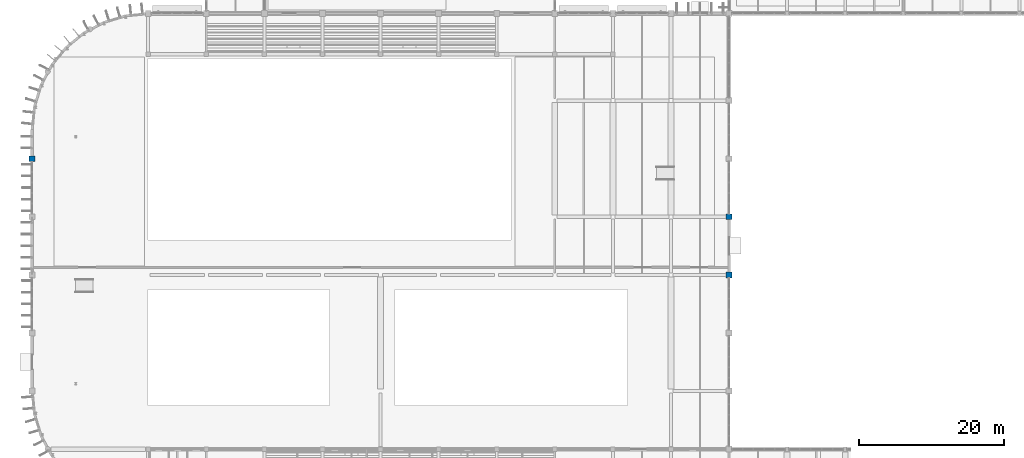
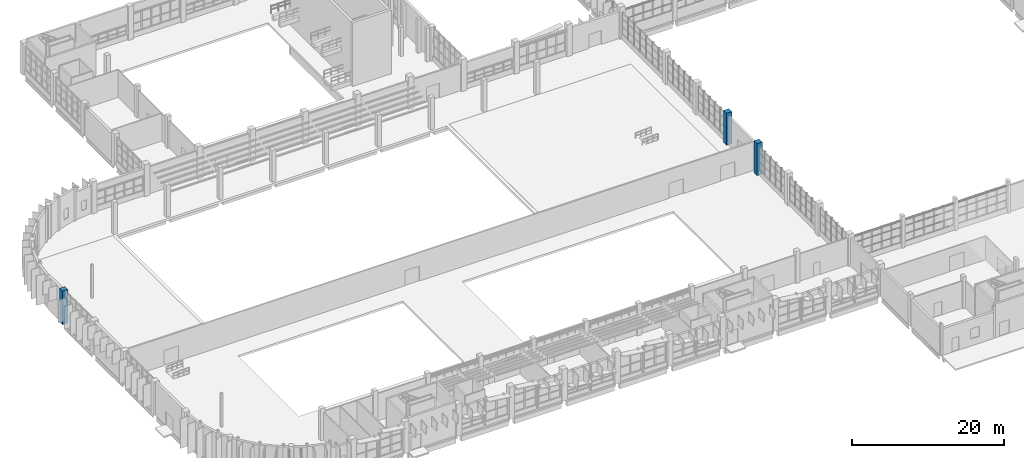
# One storey, part 6 of 103: 3 columns.
"""IFC4 building model written with IfcOpenShell, lengths in metres."""

from ifc_helpers import new_model, si_unit, direction, frame, origin, origin_2d, place, context, subcontext, project, spatial, rectangle, extrude, material, material_profile, profile_set, type_object, element, save


model = new_model("IFC4")

# Units and contexts
model_context = context("Model", 3, precision=1e-05, world=origin(), true_north=direction((0.0, 1.0)))
body_context = subcontext(model_context, "Body", "Model", "MODEL_VIEW")
ifc_project = project(units=[si_unit("LENGTHUNIT", "METRE"), si_unit("AREAUNIT", "SQUARE_METRE"), si_unit("VOLUMEUNIT", "CUBIC_METRE"), si_unit("PLANEANGLEUNIT", "RADIAN"), si_unit("MASSUNIT", "GRAM", prefix="KILO")], contexts=[model_context])

# Site, building, storey
site_placement = place(None, origin())
site = spatial("IfcSite", under=ifc_project, at=site_placement, CompositionType="ELEMENT")
building_placement = place(site_placement, origin())
building = spatial("IfcBuilding", under=site, at=building_placement, Name="Drelvana Railside Aquatics Centre", CompositionType="ELEMENT")
storey_placement = place(building_placement, origin())
storey = spatial("IfcBuildingStorey", under=building, at=storey_placement, Name="L00", CompositionType="ELEMENT", Elevation=0.0)

# Columns
ifc_material = material(Name="Concrete C40/50", Category="concrete")
ifc_material_profile = material_profile(ifc_material, rectangle(XDim=0.800048828125, YDim=0.800048828125, at=origin_2d()), Name="RC 800x800")
ifc_profile_set = profile_set([ifc_material_profile], Name="Concrete C40/50")
column_type = type_object("IfcColumnType", Name="STR-COL-RC-800x800", PredefinedType="COLUMN", material=ifc_profile_set)
column_placement = place(storey_placement, frame((0.0, 64.0, 0.0), z_axis=(0.0, 0.0, 1.0), x_axis=(1.0, 0.0, 0.0)))
element("IfcColumn", 1, at=column_placement, inside=storey, type_object=column_type, Name="Column C-08 (L00)", PredefinedType="COLUMN", context=body_context, shape_type="SweptSolid", body=[
    extrude(rectangle(XDim=0.800048828125, YDim=0.800048828125, at=origin_2d()), origin(), (0.0, 0.0, 1.0), 5.39990234375),
])
for number, where, z_axis, x_axis, name in (
    (2, (96.0, 48.0, 0.0), (0.0, 0.0, 1.0), (1.0, 0.0, 0.0), "Column C-08 (L00)"),
    (3, (96.0, 56.0, 0.0), (0.0, 0.0, 1.0), (1.0, 0.0, 0.0), "Column C-08 (L00)"),
):
    element("IfcColumn", number, at=place(storey_placement, frame(where, z_axis=z_axis, x_axis=x_axis)), inside=storey, type_object=column_type, Name=name, PredefinedType="COLUMN", context=body_context, shape_type="SweptSolid", body=[
        extrude(rectangle(XDim=0.800048828125, YDim=0.800048828125, at=origin_2d()), origin(), (0.0, 0.0, 1.0), 5.125),
    ])

save(model, "model.ifc")
